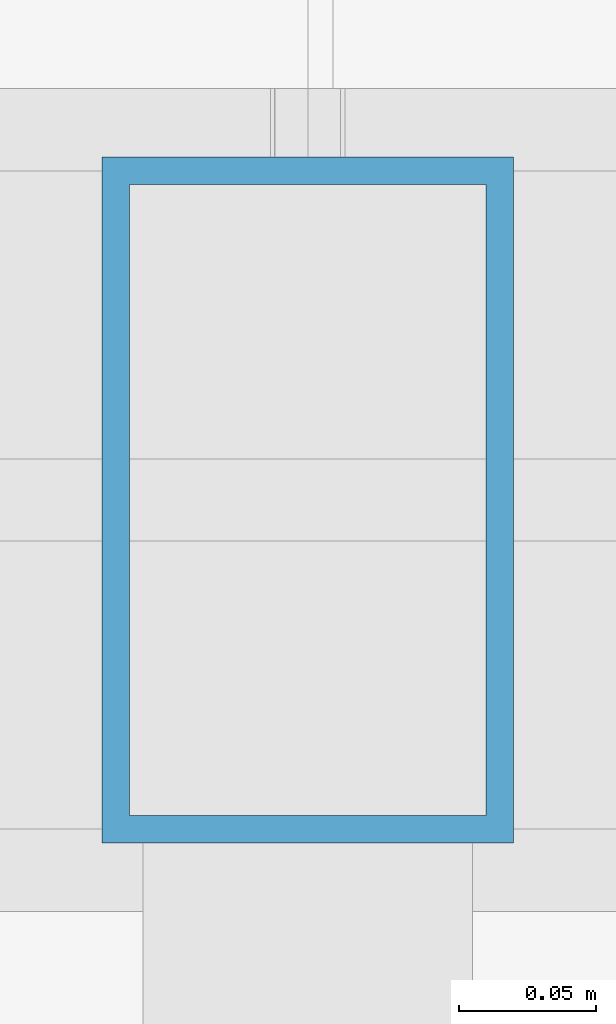
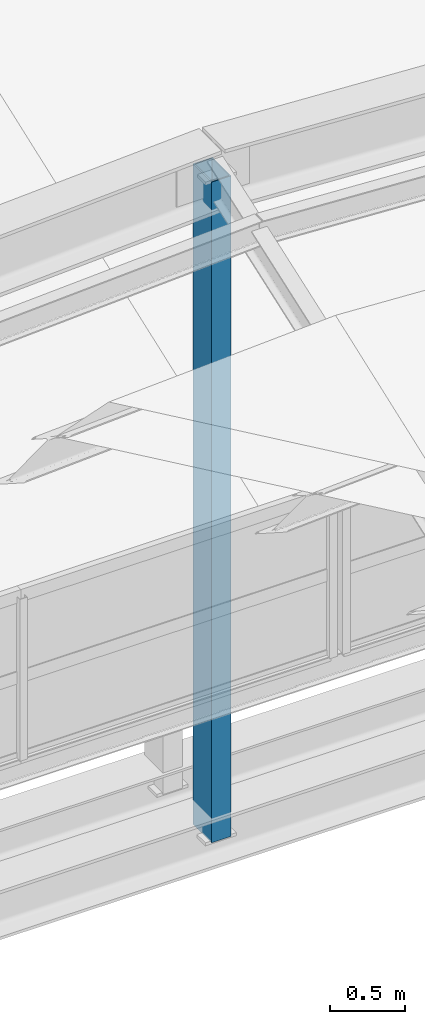
# One storey, part 18 of 141: 1 member.
"""IFC4 building model written with IfcOpenShell, lengths in metres."""

import ifcopenshell
import ifcopenshell.guid

model = None  # the IFC model being written
_history = None  # IfcOwnerHistory: only IFC2X3 demands one
_inside = {}  # id of a spatial element -> (the spatial element, [elements in it])
_under = {}  # id of a project, library or spatial element -> (it, [spatial elements below it])
_declared = {}  # id of a project -> (the project, [libraries it declares])
_typed = {}  # id of a type object -> (the type object, [elements of that type])
_made_of = {}  # id of a material, layer set ... -> (it, [elements and type objects made of it])


def new_model(schema):
    """Start an empty IFC model of exactly this schema.

    Asked for "IFC4X3", IfcOpenShell would pick the latest addendum, in which some entities
    have other attributes; the version numbers below select the first issue.
    IFC2X3 requires an IfcOwnerHistory on every rooted entity: one is made here for all.
    """
    global model, _history
    if schema == "IFC4X3":
        model = ifcopenshell.file(schema_version=(4, 3, 0, 0))
    else:
        model = ifcopenshell.file(schema=schema)
    _inside.clear()
    _under.clear()
    _declared.clear()
    _typed.clear()
    _made_of.clear()
    _history = None
    if model.schema == "IFC2X3":
        org = make("IfcOrganization", Name="unknown")
        user = make(
            "IfcPersonAndOrganization",
            ThePerson=make("IfcPerson", FamilyName="unknown"),
            TheOrganization=org,
        )
        app = make(
            "IfcApplication",
            ApplicationDeveloper=org,
            Version="unknown",
            ApplicationFullName="unknown",
            ApplicationIdentifier="unknown",
        )
        _history = make(
            "IfcOwnerHistory",
            OwningUser=user,
            OwningApplication=app,
            ChangeAction="ADDED",
            CreationDate=0,
        )
    return model


def make(cls, **values):
    """One entity of the class cls with the attributes given. An attribute that is None is left unset."""
    return model.create_entity(
        cls, **{name: value for name, value in values.items() if value is not None}
    )


def rooted(cls, **values):
    """An entity with a GlobalId (a new one), such as an element, a storey or a relation."""
    return make(cls, GlobalId=ifcopenshell.guid.new(), OwnerHistory=_history, **values)


def si_unit(unit_type, name, prefix=None):
    """IfcSIUnit, for example si_unit("LENGTHUNIT", "METRE", prefix="MILLI")."""
    return make("IfcSIUnit", UnitType=unit_type, Prefix=prefix, Name=name)


def assignment(units):
    """IfcUnitAssignment: the units of a project."""
    return None if units is None else make("IfcUnitAssignment", Units=units)


def point(xyz):
    """IfcCartesianPoint."""
    return None if xyz is None else make("IfcCartesianPoint", Coordinates=xyz)


def direction(xyz):
    """IfcDirection."""
    return None if xyz is None else make("IfcDirection", DirectionRatios=xyz)


def frame(location, z_axis=None, x_axis=None):
    """IfcAxis2Placement3D, a coordinate frame: its origin and axes. An axis left out is left unset."""
    return make(
        "IfcAxis2Placement3D",
        Location=point(location),
        Axis=direction(z_axis),
        RefDirection=direction(x_axis),
    )


def frame_2d(location, x_axis=None):
    """IfcAxis2Placement2D, a coordinate frame in the plane: its origin and x axis."""
    return make(
        "IfcAxis2Placement2D", Location=point(location), RefDirection=direction(x_axis)
    )


def origin():
    """The frame at (0, 0, 0) with its axes left unset."""
    return frame((0.0, 0.0, 0.0))


def origin_2d():
    """The frame at (0, 0) in the plane with its x axis left unset."""
    return frame_2d((0.0, 0.0))


def place(relative_to, where):
    """IfcLocalPlacement: puts the frame where relative to a parent placement (None: the world)."""
    return make(
        "IfcLocalPlacement", PlacementRelTo=relative_to, RelativePlacement=where
    )


def context(
    kind, dimensions, precision=None, world=None, true_north=None, identifier=None
):
    """IfcGeometricRepresentationContext, for example the 3D "Model" context."""
    return make(
        "IfcGeometricRepresentationContext",
        ContextIdentifier=identifier,
        ContextType=kind,
        CoordinateSpaceDimension=dimensions,
        Precision=precision,
        WorldCoordinateSystem=world,
        TrueNorth=true_north,
    )


def subcontext(parent, identifier, kind, view, scale=None):
    """IfcGeometricRepresentationSubContext, for example "Body" below "Model"."""
    return make(
        "IfcGeometricRepresentationSubContext",
        ContextIdentifier=identifier,
        ContextType=kind,
        ParentContext=parent,
        TargetScale=scale,
        TargetView=view,
    )


def project(units=None, contexts=None):
    """IfcProject with its units and contexts."""
    return rooted(
        "IfcProject",
        Name="project",
        RepresentationContexts=contexts,
        UnitsInContext=assignment(units),
    )


def spatial(cls, under=None, at=None, **own):
    """A site, building, storey or space (cls), placed at a placement, below another one or the project."""
    s = rooted(cls, ObjectPlacement=at, **own)
    if under is not None:
        _under.setdefault(under.id(), (under, []))[1].append(s)
    return s


def profile(cls, at=None, kind="AREA", **sizes):
    """A parametric profile (cls). Its sizes go by their IFC names, for example OverallWidth=200.0."""
    return make(cls, ProfileType=kind, Position=at, **sizes)


def hollow_rectangle(**sizes):
    """IfcRectangleHollowProfileDef."""
    return profile("IfcRectangleHollowProfileDef", **sizes)


def extrude(swept, where, along, depth):
    """IfcExtrudedAreaSolid: the profile swept, set in the frame where, extruded along a direction by depth."""
    return make(
        "IfcExtrudedAreaSolid",
        SweptArea=swept,
        Position=where,
        ExtrudedDirection=direction(along),
        Depth=depth,
    )


def shape(context_of_items, identifier, shape_type, items):
    """IfcShapeRepresentation: the items that make up one representation, for example the "Body"."""
    return make(
        "IfcShapeRepresentation",
        ContextOfItems=context_of_items,
        RepresentationIdentifier=identifier,
        RepresentationType=shape_type,
        Items=items,
    )


def material(Name=None, Category=None):
    """IfcMaterial."""
    return make("IfcMaterial", Name=Name, Category=Category)


def material_profile(
    of_material, cross_section, Name=None, Category=None, Priority=None
):
    """IfcMaterialProfile: a cross section and its material."""
    return make(
        "IfcMaterialProfile",
        Name=Name,
        Material=of_material,
        Profile=cross_section,
        Priority=Priority,
        Category=Category,
    )


def profile_set(profiles, Name=None, composite=None):
    """IfcMaterialProfileSet."""
    return make(
        "IfcMaterialProfileSet",
        Name=Name,
        MaterialProfiles=profiles,
        CompositeProfile=composite,
    )


def made_of(thing, what):
    """Note that an element or type object is made of a material, layer set ...; save() writes the relation."""
    if what is not None:
        _made_of.setdefault(what.id(), (what, []))[1].append(thing)
    return thing


def type_object(cls, material=None, **own):
    """A type object (cls), such as IfcWallType, which elements share."""
    return made_of(rooted(cls, **own), material)


def element(
    cls,
    number,
    at=None,
    inside=None,
    cuts=None,
    type_object=None,
    material=None,
    context=None,
    identifier="Body",
    shape_type=None,
    held_by="IfcProductDefinitionShape",
    body=None,
    shapes=None,
    **own,
):
    """One element of the class cls, such as IfcWall. Its Tag is "e" and its number.

    at: its placement. inside: the storey or other place that contains it. cuts: it is an
    opening in that element (IfcRelVoidsElement). A single representation is given by context,
    identifier, shape_type and body (its items); several are given by shapes. held_by: the class
    of the entity that holds the representations. save() writes the other relations.
    """
    e = rooted(cls, Tag="e%d" % number, ObjectPlacement=at, **own)
    if body is not None:
        shapes = [shape(context, identifier, shape_type, body)]
    if shapes is not None:
        e.Representation = make(held_by, Representations=shapes)
    if inside is not None:
        _inside.setdefault(inside.id(), (inside, []))[1].append(e)
    if cuts is not None:
        rooted(
            "IfcRelVoidsElement", RelatingBuildingElement=cuts, RelatedOpeningElement=e
        )
    if type_object is not None:
        _typed.setdefault(type_object.id(), (type_object, []))[1].append(e)
    return made_of(e, material)


def aggregate(whole, parts):
    """IfcRelAggregates: a whole, such as a stair, and the parts it consists of."""
    return rooted("IfcRelAggregates", RelatingObject=whole, RelatedObjects=parts)


def save(model, path):
    """Write the relations noted so far, then the file.

    IfcRelAggregates (storeys below a building ...), IfcRelContainedInSpatialStructure (elements
    in a storey), IfcRelDefinesByType, IfcRelAssociatesMaterial and IfcRelDeclares: one each for
    every whole, place, type object, material and project.
    """
    for whole, parts in _under.values():
        aggregate(whole, parts)
    for where, things in _inside.values():
        rooted(
            "IfcRelContainedInSpatialStructure",
            RelatedElements=things,
            RelatingStructure=where,
        )
    for kind, things in _typed.values():
        rooted("IfcRelDefinesByType", RelatedObjects=things, RelatingType=kind)
    for what, things in _made_of.values():
        rooted("IfcRelAssociatesMaterial", RelatedObjects=things, RelatingMaterial=what)
    for by, libraries in _declared.values():
        rooted("IfcRelDeclares", RelatingContext=by, RelatedDefinitions=libraries)
    model.write(path)


model = new_model("IFC4")

# Units and contexts
model_context = context("Model", 3, precision=1e-05, world=origin(), true_north=direction((0.0, 1.0)))
body_context = subcontext(model_context, "Body", "Model", "MODEL_VIEW")
ifc_project = project(units=[si_unit("LENGTHUNIT", "METRE"), si_unit("AREAUNIT", "SQUARE_METRE"), si_unit("VOLUMEUNIT", "CUBIC_METRE"), si_unit("PLANEANGLEUNIT", "RADIAN"), si_unit("MASSUNIT", "GRAM", prefix="KILO")], contexts=[model_context])

# Site, building, storey
site_placement = place(None, origin())
site = spatial("IfcSite", under=ifc_project, at=site_placement, CompositionType="ELEMENT")
building_placement = place(site_placement, origin())
building = spatial("IfcBuilding", under=site, at=building_placement, Name="Sundkrona Museum", CompositionType="ELEMENT")
storey_placement = place(building_placement, frame((0.0, 0.0, 34.0)))
storey = spatial("IfcBuildingStorey", under=building, at=storey_placement, Name="RF", CompositionType="ELEMENT", Elevation=34.0)

# Member
ifc_material = material(Name="Steel S355J2", Category="steel")
ifc_material_profile = material_profile(ifc_material, hollow_rectangle(XDim=0.14990234375, YDim=0.25, WallThickness=0.010009765625, at=origin_2d()), Name="RHS 250x150x10.0")
ifc_profile_set = profile_set([ifc_material_profile], Name="Steel S355J2")
member_type = type_object("IfcMemberType", Name="ST-RHS250", PredefinedType="STRUT", material=ifc_profile_set)
member_placement = place(storey_placement, frame((144.0, 3.85009765625, -0.25), z_axis=(0.0, 0.0, 1.0), x_axis=(1.0, 0.0, 0.0)))
element("IfcMember", 1, at=member_placement, inside=storey, type_object=member_type, Name="RFS-1 Sawtooth Truss 1 Vertical Post 4", PredefinedType="STRUT", context=body_context, shape_type="SweptSolid", body=[
    extrude(hollow_rectangle(XDim=0.14990234375, YDim=0.25, WallThickness=0.010009765625, at=origin_2d()), origin(), (0.0, 0.0, 1.0), 5.38720703125),
])

save(model, "model.ifc")
